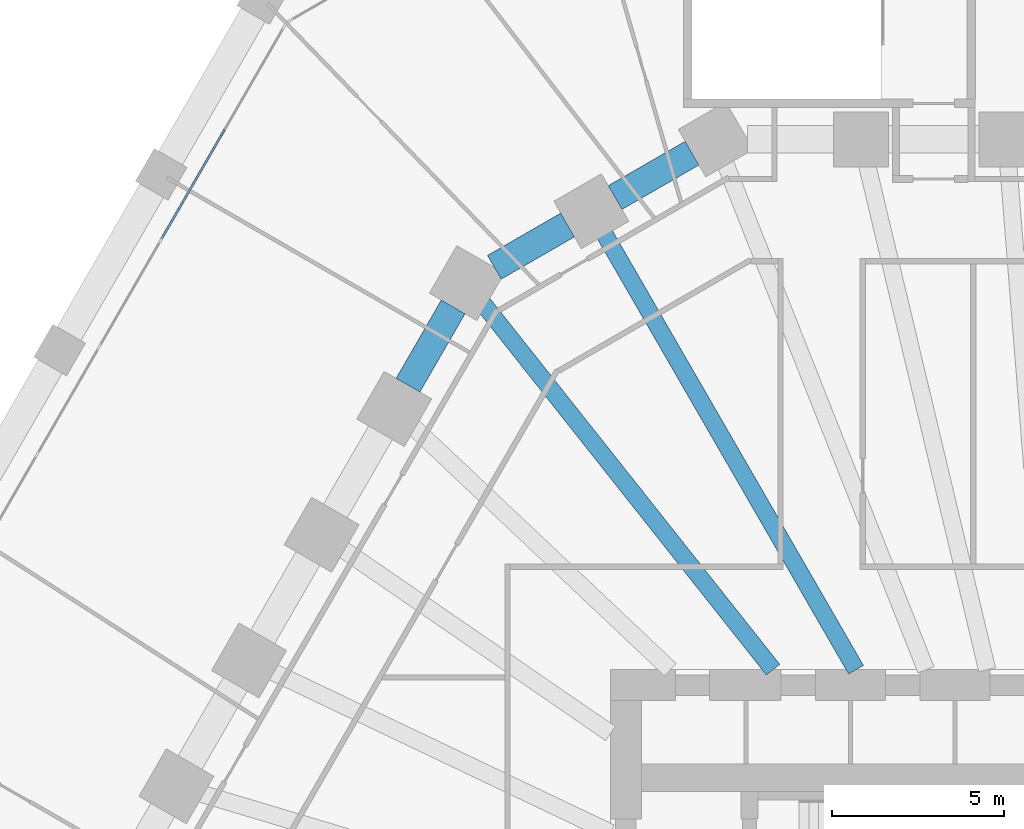
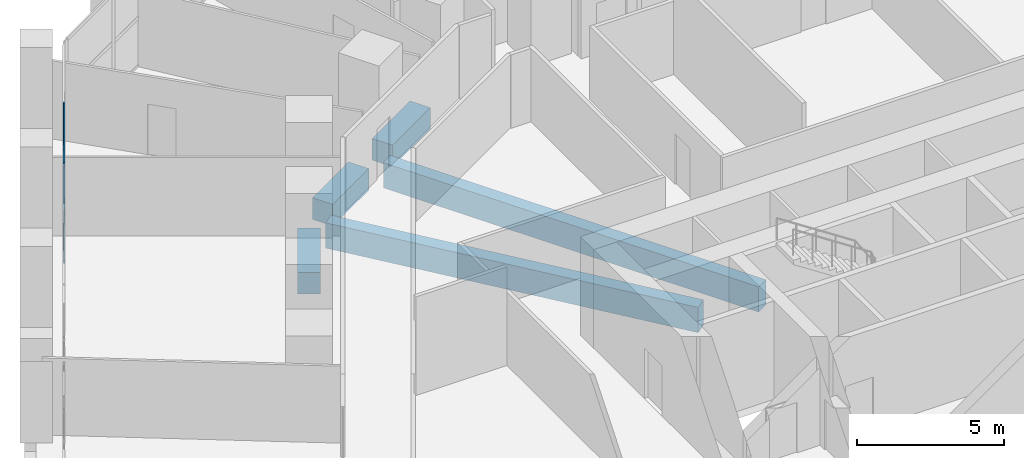
# One storey, part 7 of 38: 5 beams, 4 members, 1 element without a shape of its own.
"""IFC4 building model written with IfcOpenShell, lengths in metres."""

from ifc_helpers import new_model, si_unit, direction, frame, origin, origin_2d, place, context, subcontext, project, spatial, rectangle, extrude, material, material_profile, profile_set, type_object, element, aggregate, save


model = new_model("IFC4")

# Units and contexts
model_context = context("Model", 3, precision=1e-05, world=origin(), true_north=direction((0.0, 1.0)))
body_context = subcontext(model_context, "Body", "Model", "MODEL_VIEW")
ifc_project = project(units=[si_unit("LENGTHUNIT", "METRE"), si_unit("AREAUNIT", "SQUARE_METRE"), si_unit("VOLUMEUNIT", "CUBIC_METRE"), si_unit("PLANEANGLEUNIT", "RADIAN"), si_unit("MASSUNIT", "GRAM", prefix="KILO")], contexts=[model_context])

# Site, building, storey
site_placement = place(None, origin())
site = spatial("IfcSite", under=ifc_project, at=site_placement, CompositionType="ELEMENT")
building_placement = place(site_placement, origin())
building = spatial("IfcBuilding", under=site, at=building_placement, Name="Frailejon Research Tower", CompositionType="ELEMENT")
storey_placement = place(building_placement, frame((0.0, 0.0, 10.199951171875)))
storey = spatial("IfcBuildingStorey", under=building, at=storey_placement, Name="L02", CompositionType="ELEMENT", Elevation=10.199951171875)

# Beams
ifc_material_1 = material(Name="Concrete C60/75", Category="concrete")
ifc_material_profile_1 = material_profile(ifc_material_1, rectangle(XDim=0.5, YDim=1.050048828125, at=origin_2d()), Name="Girder 500x1050")
ifc_profile_set_1 = profile_set([ifc_material_profile_1], Name="Concrete C60/75")
beam_type_1 = type_object("IfcBeamType", Name="Girder 500x1050", PredefinedType="BEAM", material=ifc_profile_set_1)
beam_1_placement = place(storey_placement, frame((-13.88134765625, 24.043212890625, -0.875), z_axis=(0.500003328639, -0.866023481986, 0.0), x_axis=(0.866023481986, 0.500003328639, 0.0)))
element("IfcBeam", 1, at=beam_1_placement, inside=storey, type_object=beam_type_1, Name="Girder 500x1050", PredefinedType="BEAM", context=body_context, shape_type="SweptSolid", body=[
    extrude(rectangle(XDim=0.5, YDim=1.050048828125, at=origin_2d()), origin(), (0.0, 0.0, 1.0), 14.7724609375),
])
beam_2_placement = place(storey_placement, frame((-17.3916015625, 21.955322265625, -0.875), z_axis=(0.620924993475, -0.783869984422, 0.0), x_axis=(0.783869984422, 0.620924993475, 0.0)))
element("IfcBeam", 2, at=beam_2_placement, inside=storey, type_object=beam_type_1, Name="Girder 500x1050", PredefinedType="BEAM", context=body_context, shape_type="SweptSolid", body=[
    extrude(rectangle(XDim=0.5, YDim=1.050048828125, at=origin_2d()), origin(), (0.0, 0.0, 1.0), 13.656982421875),
])
ifc_material_2 = material(Name="Concrete C60/75", Category="concrete")
ifc_material_profile_2 = material_profile(ifc_material_2, rectangle(XDim=0.800048828125, YDim=0.89990234375, at=origin_2d()), Name="Podium ring beam")
ifc_profile_set_2 = profile_set([ifc_material_profile_2], Name="Concrete C60/75")
beam_type_2 = type_object("IfcBeamType", Name="Podium ring beam", PredefinedType="BEAM", material=ifc_profile_set_2)
beam_3_placement = place(storey_placement, frame((-11.272705078125, 26.300048828125, -0.800048828125), z_axis=(-0.866004899711, -0.500035512416, 0.0), x_axis=(0.500035512416, -0.866004899711, 0.0)))
element("IfcBeam", 3, at=beam_3_placement, inside=storey, type_object=beam_type_2, Name="Podium ring beam", PredefinedType="BEAM", context=body_context, shape_type="SweptSolid", body=[
    extrude(rectangle(XDim=0.800048828125, YDim=0.89990234375, at=origin_2d()), origin(), (0.0, 0.0, 1.0), 2.587646484375),
])
beam_4_placement = place(storey_placement, frame((-14.899169921875, 24.206298828125, -0.800048828125), z_axis=(-0.86602717807, -0.499996926835, 0.0), x_axis=(0.499996926835, -0.86602717807, 0.0)))
element("IfcBeam", 4, at=beam_4_placement, inside=storey, type_object=beam_type_2, Name="Podium ring beam", PredefinedType="BEAM", context=body_context, shape_type="SweptSolid", body=[
    extrude(rectangle(XDim=0.800048828125, YDim=0.89990234375, at=origin_2d()), origin(), (0.0, 0.0, 1.0), 2.4638671875),
])
beam_5_placement = place(storey_placement, frame((-18.23291015625, 21.819580078125, -0.800048828125), z_axis=(-0.499990112884, -0.866031112038, 0.0), x_axis=(0.866031112038, -0.499990112884, 0.0)))
element("IfcBeam", 5, at=beam_5_placement, inside=storey, type_object=beam_type_2, Name="Podium ring beam", PredefinedType="BEAM", context=body_context, shape_type="SweptSolid", body=[
    extrude(rectangle(XDim=0.800048828125, YDim=0.89990234375, at=origin_2d()), origin(), (0.0, 0.0, 1.0), 2.6318359375),
])

# Curtain wall, members
ifc_material_3 = material(Name="Aluminium curtain wall", Category="aluminium")
curtain_wall_type = type_object("IfcCurtainWallType", Name="Podium stick curtain wall system", PredefinedType="NOTDEFINED", material=ifc_material_3)
curtain_wall_placement = place(storey_placement, origin())
curtain_wall = element("IfcCurtainWall", 6, at=curtain_wall_placement, inside=storey, type_object=curtain_wall_type, Name="Curtain wall L02", PredefinedType="NOTDEFINED")
ifc_material_4 = material(Name="Aluminium extrusion", Category="aluminium")
ifc_material_profile_3 = material_profile(ifc_material_4, rectangle(XDim=0.06005859375, YDim=0.199951171875, at=origin_2d()), Name="Podium stick curtain wall mullion 60x200")
ifc_profile_set_3 = profile_set([ifc_material_profile_3], Name="Aluminium extrusion")
member_type_1 = type_object("IfcMemberType", Name="Podium stick curtain wall mullion 60x200", PredefinedType="MULLION", material=ifc_profile_set_3)
member_1_placement = place(storey_placement, frame((-24.94287109375, 26.897705078125, 0.0), z_axis=(0.0, 0.0, 1.0), x_axis=(0.86602632934, -0.499998396888, 0.0)))
member_1 = element("IfcMember", 7, at=member_1_placement, type_object=member_type_1, Name="CW2-038 mullion 2", PredefinedType="MULLION", context=body_context, shape_type="SweptSolid", body=[
    extrude(rectangle(XDim=0.06005859375, YDim=0.199951171875, at=origin_2d()), origin(), (0.0, 0.0, 1.0), 4.10009765625),
])
ifc_material_5 = material(Name="Aluminium extrusion", Category="aluminium")
ifc_material_profile_4 = material_profile(ifc_material_5, rectangle(XDim=0.06005859375, YDim=0.14990234375, at=origin_2d()), Name="Podium stick curtain wall transom 60x150")
ifc_profile_set_4 = profile_set([ifc_material_profile_4], Name="Aluminium extrusion")
member_type_2 = type_object("IfcMemberType", Name="Podium stick curtain wall transom 60x150", PredefinedType="USERDEFINED", material=ifc_profile_set_4)
member_2_placement = place(storey_placement, frame((-24.9580078125, 26.87158203125, 0.030029296875), z_axis=(-0.499980603476, -0.866036602083, 0.0), x_axis=(0.866036602083, -0.499980603476, 0.0)))
member_2 = element("IfcMember", 8, at=member_2_placement, type_object=member_type_2, Name="CW2-038 transom 2.1", ObjectType="TRANSOM", PredefinedType="USERDEFINED", context=body_context, shape_type="SweptSolid", body=[
    extrude(rectangle(XDim=0.06005859375, YDim=0.14990234375, at=origin_2d()), origin(), (0.0, 0.0, 1.0), 3.547607421875),
])
member_3_placement = place(storey_placement, frame((-24.9580078125, 26.87158203125, 2.050048828125), z_axis=(-0.499980603476, -0.866036602083, 0.0), x_axis=(0.866036602083, -0.499980603476, 0.0)))
member_3 = element("IfcMember", 9, at=member_3_placement, type_object=member_type_2, Name="CW2-038 transom 2.2", ObjectType="TRANSOM", PredefinedType="USERDEFINED", context=body_context, shape_type="SweptSolid", body=[
    extrude(rectangle(XDim=0.06005859375, YDim=0.14990234375, at=origin_2d()), origin(), (0.0, 0.0, 1.0), 3.547607421875),
])
member_4_placement = place(storey_placement, frame((-24.9580078125, 26.87158203125, 4.070068359375), z_axis=(-0.499980603476, -0.866036602083, 0.0), x_axis=(0.866036602083, -0.499980603476, 0.0)))
member_4 = element("IfcMember", 10, at=member_4_placement, type_object=member_type_2, Name="CW2-038 transom 2.3", ObjectType="TRANSOM", PredefinedType="USERDEFINED", context=body_context, shape_type="SweptSolid", body=[
    extrude(rectangle(XDim=0.06005859375, YDim=0.14990234375, at=origin_2d()), origin(), (0.0, 0.0, 1.0), 3.547607421875),
])
aggregate(curtain_wall, [member_1, member_2, member_3, member_4])

save(model, "model.ifc")
